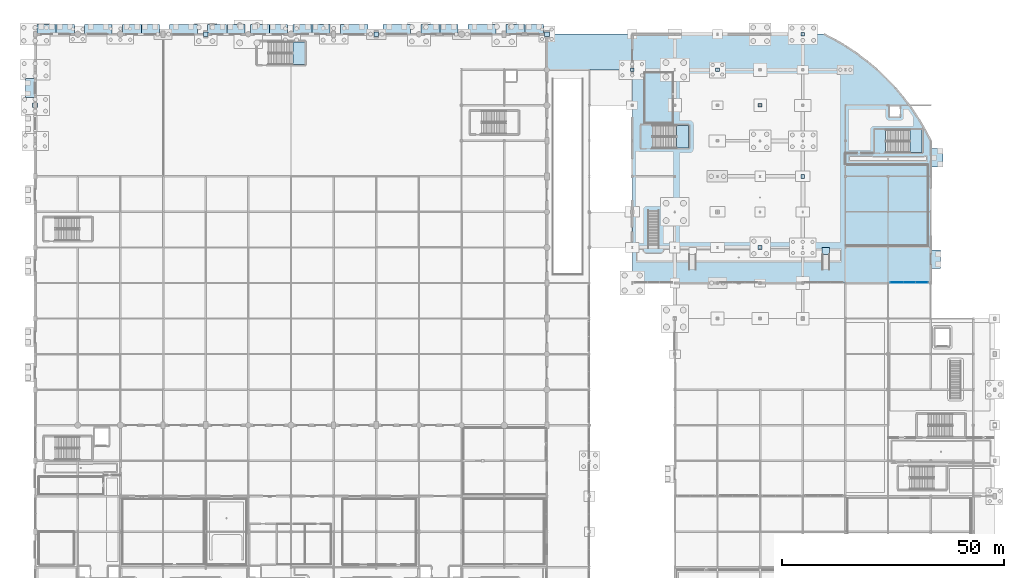
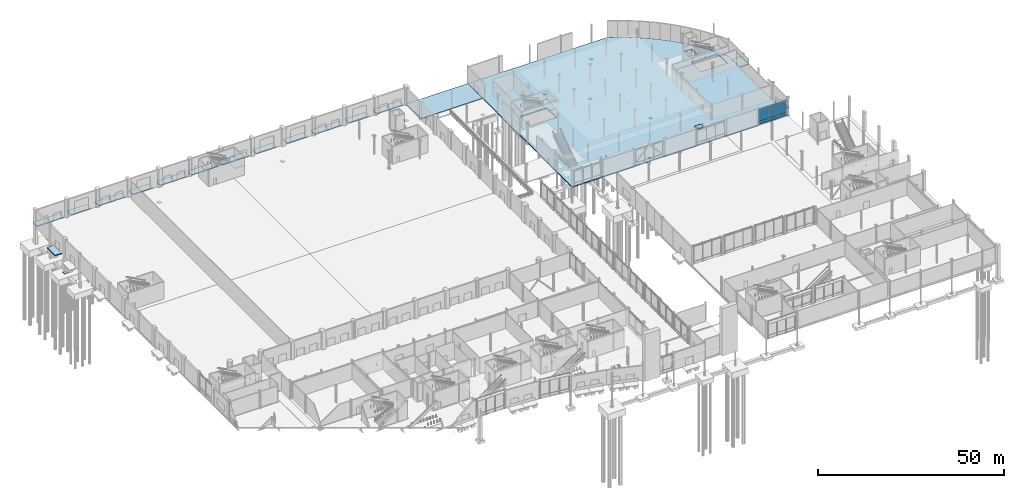
# One storey, part 70 of 124: 28 slabs, 16 plates, 4 elements without a shape of their own.
"""IFC4 building model written with IfcOpenShell, lengths in metres."""

from ifc_helpers import new_model, si_unit, direction, frame, origin, origin_2d, place, context, subcontext, project, spatial, polyline, rectangle, outline, extrude, material, layer, layer_set, type_object, element, aggregate, save


model = new_model("IFC4")

# Units and contexts
model_context = context("Model", 3, precision=1e-05, world=origin(), true_north=direction((0.0, 1.0)))
body_context = subcontext(model_context, "Body", "Model", "MODEL_VIEW")
ifc_project = project(units=[si_unit("LENGTHUNIT", "METRE"), si_unit("AREAUNIT", "SQUARE_METRE"), si_unit("VOLUMEUNIT", "CUBIC_METRE"), si_unit("PLANEANGLEUNIT", "RADIAN"), si_unit("MASSUNIT", "GRAM", prefix="KILO")], contexts=[model_context])

# Site, building, storey
site_placement = place(None, origin())
site = spatial("IfcSite", under=ifc_project, at=site_placement, CompositionType="ELEMENT")
building_placement = place(site_placement, origin())
building = spatial("IfcBuilding", under=site, at=building_placement, Name="Danafjord Basin Convention Centre", CompositionType="ELEMENT")
storey_placement = place(building_placement, origin())
storey = spatial("IfcBuildingStorey", under=building, at=storey_placement, Name="L00", CompositionType="ELEMENT", Elevation=0.0)

# Plates
ifc_material_1 = material(Name="Steel S355", Category="steel")
ifc_layer_1 = layer(ifc_material_1, 0.0400390625)
ifc_layer_set_1 = layer_set([ifc_layer_1], Name="Steel S355")
plate_type_1 = type_object("IfcPlateType", Name="PLT-BP-40", PredefinedType="SHEET", material=ifc_layer_set_1)
for number, where, z_axis, x_axis, name in (
    (1, (0.0, 128.0, -5.39990234375), (0.0, 0.0, 1.0), (1.0, 0.0, 0.0), "L00 column baseplate BP-40 at (0.0, 128.0)"),
    (2, (38.39990234375, 144.0, -5.39990234375), (0.0, 0.0, 1.0), (1.0, 0.0, 0.0), "L00 column baseplate BP-40 at (38.4, 144.0)"),
    (3, (76.800048828125, 144.0, -5.39990234375), (0.0, 0.0, 1.0), (1.0, 0.0, 0.0), "L00 column baseplate BP-40 at (76.8, 144.0)"),
    (4, (115.199951171875, 144.0, -5.39990234375), (0.0, 0.0, 1.0), (1.0, 0.0, 0.0), "L00 column baseplate BP-40 at (115.2, 144.0)"),
):
    element("IfcPlate", number, at=place(storey_placement, frame(where, z_axis=z_axis, x_axis=x_axis)), inside=storey, type_object=plate_type_1, Name=name, PredefinedType="SHEET", context=body_context, shape_type="SweptSolid", body=[
        extrude(rectangle(XDim=1.10009765625, YDim=1.10009765625, at=origin_2d()), origin(), (0.0, 0.0, 1.0), 0.0400390625),
    ])
for number, where, z_axis, x_axis, name in (
    (5, (134.39990234375, 136.0, -5.39990234375), (0.0, 0.0, 1.0), (1.0, 0.0, 0.0), "L00 column baseplate BP-40 at (134.4, 136.0)"),
    (6, (153.60009765625, 136.0, -5.39990234375), (0.0, 0.0, 1.0), (1.0, 0.0, 0.0), "L00 column baseplate BP-40 at (153.6, 136.0)"),
    (7, (163.199951171875, 96.0, -5.39990234375), (0.0, 0.0, 1.0), (1.0, 0.0, 0.0), "L00 column baseplate BP-40 at (163.2, 96.0)"),
    (8, (163.199951171875, 128.0, -5.39990234375), (0.0, 0.0, 1.0), (1.0, 0.0, 0.0), "L00 column baseplate BP-40 at (163.2, 128.0)"),
    (9, (172.800048828125, 112.0, -5.39990234375), (0.0, 0.0, 1.0), (1.0, 0.0, 0.0), "L00 column baseplate BP-40 at (172.8, 112.0)"),
    (10, (172.800048828125, 144.0, -5.39990234375), (0.0, 0.0, 1.0), (1.0, 0.0, 0.0), "L00 column baseplate BP-40 at (172.8, 144.0)"),
):
    element("IfcPlate", number, at=place(storey_placement, frame(where, z_axis=z_axis, x_axis=x_axis)), inside=storey, type_object=plate_type_1, Name=name, PredefinedType="SHEET", context=body_context, shape_type="SweptSolid", body=[
        extrude(rectangle(XDim=0.85009765625, YDim=0.85009765625, at=origin_2d()), origin(), (0.0, 0.0, 1.0), 0.0400390625),
    ])

# Curtain wall, plates
ifc_material_2 = material(Name="Anodised aluminium and triple glazing", Category="aluminium")
curtain_wall_type = type_object("IfcCurtainWallType", Name="CW-CW-DRUM", PredefinedType="NOTDEFINED", material=ifc_material_2)
curtain_wall_placement = place(storey_placement, origin())
curtain_wall = element("IfcCurtainWall", 11, at=curtain_wall_placement, inside=storey, type_object=curtain_wall_type, Name="L00 CW-DRUM unitised curtain wall bay 117", PredefinedType="NOTDEFINED")
ifc_material_3 = material(Name="Triple low-E insulated glazing", Category="glass")
ifc_layer_2 = layer(ifc_material_3, 0.048095703125)
ifc_layer_set_2 = layer_set([ifc_layer_2], Name="Triple low-E insulated glazing")
plate_type_2 = type_object("IfcPlateType", Name="PLT-GP-48", PredefinedType="CURTAIN_PANEL", material=ifc_layer_set_2)
plate_1_placement = place(storey_placement, frame((194.0, 88.1201171875, 0.97802734375), z_axis=(0.0, 0.0, 1.0), x_axis=(1.0, 0.0, 0.0)))
plate_1 = element("IfcPlate", 12, at=plate_1_placement, type_object=plate_type_2, Name="CW-L00-117 vision glazing unit 1", PredefinedType="CURTAIN_PANEL", context=body_context, shape_type="SweptSolid", body=[
    extrude(rectangle(XDim=2.743896484375, YDim=0.048095703125, at=origin_2d()), origin(), (0.0, 0.0, 1.0), 3.9541015625),
])
plate_2_placement = place(storey_placement, frame((196.800048828125, 88.1201171875, 0.97802734375), z_axis=(0.0, 0.0, 1.0), x_axis=(1.0, 0.0, 0.0)))
plate_2 = element("IfcPlate", 13, at=plate_2_placement, type_object=plate_type_2, Name="CW-L00-117 vision glazing unit 2", PredefinedType="CURTAIN_PANEL", context=body_context, shape_type="SweptSolid", body=[
    extrude(rectangle(XDim=2.743896484375, YDim=0.048095703125, at=origin_2d()), origin(), (0.0, 0.0, 1.0), 3.9541015625),
])
plate_3_placement = place(storey_placement, frame((199.60009765625, 88.1201171875, 0.97802734375), z_axis=(0.0, 0.0, 1.0), x_axis=(1.0, 0.0, 0.0)))
plate_3 = element("IfcPlate", 14, at=plate_3_placement, type_object=plate_type_2, Name="CW-L00-117 vision glazing unit 3", PredefinedType="CURTAIN_PANEL", context=body_context, shape_type="SweptSolid", body=[
    extrude(rectangle(XDim=2.743896484375, YDim=0.048095703125, at=origin_2d()), origin(), (0.0, 0.0, 1.0), 3.9541015625),
])
ifc_material_4 = material(Name="Insulated aluminium spandrel cassette", Category="aluminium")
ifc_layer_3 = layer(ifc_material_4, 0.090087890625)
ifc_layer_set_3 = layer_set([ifc_layer_3], Name="Insulated aluminium spandrel cassette")
plate_type_3 = type_object("IfcPlateType", Name="PLT-SPN-90", PredefinedType="CURTAIN_PANEL", material=ifc_layer_set_3)
plate_4_placement = place(storey_placement, frame((194.0, 88.1201171875, 0.087890625), z_axis=(0.0, 0.0, 1.0), x_axis=(1.0, 0.0, 0.0)))
plate_4 = element("IfcPlate", 15, at=plate_4_placement, type_object=plate_type_3, Name="CW-L00-117 spandrel cassette 1", PredefinedType="CURTAIN_PANEL", context=body_context, shape_type="SweptSolid", body=[
    extrude(rectangle(XDim=2.743896484375, YDim=0.090087890625, at=origin_2d()), origin(), (0.0, 0.0, 1.0), 0.833984375),
])
plate_5_placement = place(storey_placement, frame((196.800048828125, 88.1201171875, 0.087890625), z_axis=(0.0, 0.0, 1.0), x_axis=(1.0, 0.0, 0.0)))
plate_5 = element("IfcPlate", 16, at=plate_5_placement, type_object=plate_type_3, Name="CW-L00-117 spandrel cassette 2", PredefinedType="CURTAIN_PANEL", context=body_context, shape_type="SweptSolid", body=[
    extrude(rectangle(XDim=2.743896484375, YDim=0.090087890625, at=origin_2d()), origin(), (0.0, 0.0, 1.0), 0.833984375),
])
plate_6_placement = place(storey_placement, frame((199.60009765625, 88.1201171875, 0.087890625), z_axis=(0.0, 0.0, 1.0), x_axis=(1.0, 0.0, 0.0)))
plate_6 = element("IfcPlate", 17, at=plate_6_placement, type_object=plate_type_3, Name="CW-L00-117 spandrel cassette 3", PredefinedType="CURTAIN_PANEL", context=body_context, shape_type="SweptSolid", body=[
    extrude(rectangle(XDim=2.743896484375, YDim=0.090087890625, at=origin_2d()), origin(), (0.0, 0.0, 1.0), 0.833984375),
])
aggregate(curtain_wall, [plate_4, plate_1, plate_5, plate_2, plate_6, plate_3])

# Slabs
ifc_material_5 = material(Name="Concrete C40/50", Category="concrete")
ifc_layer_4 = layer(ifc_material_5, 0.280029296875)
ifc_layer_set_4 = layer_set([ifc_layer_4], Name="Concrete C40/50")
slab_type_1 = type_object("IfcSlabType", Name="SLAB-EXT-280", PredefinedType="FLOOR", material=ifc_layer_set_4)
slab_1_placement = place(storey_placement, frame((0.0, 0.0, -0.280029296875)))
element("IfcSlab", 18, at=slab_1_placement, inside=storey, type_object=slab_type_1, Name="L00 exterior courtyard apron slab SL-L00-APRON", PredefinedType="FLOOR", context=body_context, shape_type="SweptSolid", body=[
    extrude(outline(polyline([(115.25, 136.0), (115.25, 144.0), (134.35009765625, 144.0), (134.35009765625, 136.0), (115.25, 136.0)])), origin(), (0.0, 0.0, 1.0), 0.280029296875),
])
slab_2_placement = place(storey_placement, frame((0.0, 0.0, -0.280029296875)))
element("IfcSlab", 19, at=slab_2_placement, inside=storey, type_object=slab_type_1, Name="L00 exterior threshold apron EX01", PredefinedType="FLOOR", context=body_context, shape_type="SweptSolid", body=[
    extrude(outline(polyline([(0.449951171875, 146.199951171875), (4.72998046875, 146.199951171875), (4.72998046875, 144.014892578125), (0.449951171875, 144.014892578125), (0.449951171875, 146.199951171875)])), origin(), (0.0, 0.0, 1.0), 0.280029296875),
])
slab_3_placement = place(storey_placement, frame((0.0, 0.0, -0.280029296875)))
element("IfcSlab", 20, at=slab_3_placement, inside=storey, type_object=slab_type_1, Name="L00 exterior threshold apron EX02", PredefinedType="FLOOR", context=body_context, shape_type="SweptSolid", body=[
    extrude(outline(polyline([(8.830078125, 146.199951171875), (8.830078125, 144.014892578125), (4.7451171875, 144.014892578125), (4.7451171875, 146.199951171875), (8.830078125, 146.199951171875)])), origin(), (0.0, 0.0, 1.0), 0.280029296875),
])
slab_4_placement = place(storey_placement, frame((0.0, 0.0, -0.280029296875)))
element("IfcSlab", 21, at=slab_4_placement, inside=storey, type_object=slab_type_1, Name="L00 exterior threshold apron SH03", PredefinedType="FLOOR", context=body_context, shape_type="SweptSolid", body=[
    extrude(outline(polyline([(11.10009765625, 146.199951171875), (17.300048828125, 146.199951171875), (17.300048828125, 144.014892578125), (11.10009765625, 144.014892578125), (11.10009765625, 146.199951171875)])), origin(), (0.0, 0.0, 1.0), 0.280029296875),
])
slab_5_placement = place(storey_placement, frame((0.0, 0.0, -0.280029296875)))
element("IfcSlab", 22, at=slab_5_placement, inside=storey, type_object=slab_type_1, Name="L00 exterior threshold apron EX06", PredefinedType="FLOOR", context=body_context, shape_type="SweptSolid", body=[
    extrude(outline(polyline([(19.64990234375, 146.199951171875), (23.929931640625, 146.199951171875), (23.929931640625, 144.014892578125), (19.64990234375, 144.014892578125), (19.64990234375, 146.199951171875)])), origin(), (0.0, 0.0, 1.0), 0.280029296875),
])
slab_6_placement = place(storey_placement, frame((0.0, 0.0, -0.280029296875)))
element("IfcSlab", 23, at=slab_6_placement, inside=storey, type_object=slab_type_1, Name="L00 exterior threshold apron EX07", PredefinedType="FLOOR", context=body_context, shape_type="SweptSolid", body=[
    extrude(outline(polyline([(28.030029296875, 146.199951171875), (28.030029296875, 144.014892578125), (23.945068359375, 144.014892578125), (23.945068359375, 146.199951171875), (28.030029296875, 146.199951171875)])), origin(), (0.0, 0.0, 1.0), 0.280029296875),
])
slab_7_placement = place(storey_placement, frame((0.0, 0.0, -0.280029296875)))
element("IfcSlab", 24, at=slab_7_placement, inside=storey, type_object=slab_type_1, Name="L00 exterior threshold apron SH10", PredefinedType="FLOOR", context=body_context, shape_type="SweptSolid", body=[
    extrude(outline(polyline([(30.300048828125, 146.199951171875), (36.5, 146.199951171875), (36.5, 144.014892578125), (30.300048828125, 144.014892578125), (30.300048828125, 146.199951171875)])), origin(), (0.0, 0.0, 1.0), 0.280029296875),
])
slab_8_placement = place(storey_placement, frame((0.0, 0.0, -0.280029296875)))
element("IfcSlab", 25, at=slab_8_placement, inside=storey, type_object=slab_type_1, Name="L00 exterior threshold apron EX13", PredefinedType="FLOOR", context=body_context, shape_type="SweptSolid", body=[
    extrude(outline(polyline([(38.85009765625, 146.199951171875), (43.1298828125, 146.199951171875), (43.1298828125, 144.014892578125), (38.85009765625, 144.014892578125), (38.85009765625, 146.199951171875)])), origin(), (0.0, 0.0, 1.0), 0.280029296875),
])
slab_9_placement = place(storey_placement, frame((0.0, 0.0, -0.280029296875)))
element("IfcSlab", 26, at=slab_9_placement, inside=storey, type_object=slab_type_1, Name="L00 exterior threshold apron EX14", PredefinedType="FLOOR", context=body_context, shape_type="SweptSolid", body=[
    extrude(outline(polyline([(47.22998046875, 146.199951171875), (47.22998046875, 144.014892578125), (43.14501953125, 144.014892578125), (43.14501953125, 146.199951171875), (47.22998046875, 146.199951171875)])), origin(), (0.0, 0.0, 1.0), 0.280029296875),
])
slab_10_placement = place(storey_placement, frame((0.0, 0.0, -0.280029296875)))
element("IfcSlab", 27, at=slab_10_placement, inside=storey, type_object=slab_type_1, Name="L00 exterior threshold apron EX17", PredefinedType="FLOOR", context=body_context, shape_type="SweptSolid", body=[
    extrude(outline(polyline([(48.449951171875, 146.199951171875), (52.72998046875, 146.199951171875), (52.72998046875, 144.014892578125), (48.449951171875, 144.014892578125), (48.449951171875, 146.199951171875)])), origin(), (0.0, 0.0, 1.0), 0.280029296875),
])
slab_11_placement = place(storey_placement, frame((0.0, 0.0, -0.280029296875)))
element("IfcSlab", 28, at=slab_11_placement, inside=storey, type_object=slab_type_1, Name="L00 exterior threshold apron EX18", PredefinedType="FLOOR", context=body_context, shape_type="SweptSolid", body=[
    extrude(outline(polyline([(56.830078125, 146.199951171875), (56.830078125, 144.014892578125), (52.7451171875, 144.014892578125), (52.7451171875, 146.199951171875), (56.830078125, 146.199951171875)])), origin(), (0.0, 0.0, 1.0), 0.280029296875),
])
slab_12_placement = place(storey_placement, frame((0.0, 0.0, -0.280029296875)))
element("IfcSlab", 29, at=slab_12_placement, inside=storey, type_object=slab_type_1, Name="L00 exterior threshold apron EX21", PredefinedType="FLOOR", context=body_context, shape_type="SweptSolid", body=[
    extrude(outline(polyline([(58.050048828125, 146.199951171875), (62.330078125, 146.199951171875), (62.330078125, 144.014892578125), (58.050048828125, 144.014892578125), (58.050048828125, 146.199951171875)])), origin(), (0.0, 0.0, 1.0), 0.280029296875),
])
slab_13_placement = place(storey_placement, frame((0.0, 0.0, -0.280029296875)))
element("IfcSlab", 30, at=slab_13_placement, inside=storey, type_object=slab_type_1, Name="L00 exterior threshold apron EX22", PredefinedType="FLOOR", context=body_context, shape_type="SweptSolid", body=[
    extrude(outline(polyline([(66.429931640625, 146.199951171875), (66.429931640625, 144.014892578125), (62.344970703125, 144.014892578125), (62.344970703125, 146.199951171875), (66.429931640625, 146.199951171875)])), origin(), (0.0, 0.0, 1.0), 0.280029296875),
])
slab_14_placement = place(storey_placement, frame((0.0, 0.0, -0.280029296875)))
element("IfcSlab", 31, at=slab_14_placement, inside=storey, type_object=slab_type_1, Name="L00 exterior threshold apron SH25", PredefinedType="FLOOR", context=body_context, shape_type="SweptSolid", body=[
    extrude(outline(polyline([(68.699951171875, 146.199951171875), (74.89990234375, 146.199951171875), (74.89990234375, 144.014892578125), (68.699951171875, 144.014892578125), (68.699951171875, 146.199951171875)])), origin(), (0.0, 0.0, 1.0), 0.280029296875),
])
slab_15_placement = place(storey_placement, frame((0.0, 0.0, -0.280029296875)))
element("IfcSlab", 32, at=slab_15_placement, inside=storey, type_object=slab_type_1, Name="L00 exterior threshold apron SH28", PredefinedType="FLOOR", context=body_context, shape_type="SweptSolid", body=[
    extrude(outline(polyline([(78.300048828125, 146.199951171875), (84.5, 146.199951171875), (84.5, 144.014892578125), (78.300048828125, 144.014892578125), (78.300048828125, 146.199951171875)])), origin(), (0.0, 0.0, 1.0), 0.280029296875),
])
slab_16_placement = place(storey_placement, frame((0.0, 0.0, -0.280029296875)))
element("IfcSlab", 33, at=slab_16_placement, inside=storey, type_object=slab_type_1, Name="L00 exterior threshold apron EX31", PredefinedType="FLOOR", context=body_context, shape_type="SweptSolid", body=[
    extrude(outline(polyline([(86.85009765625, 146.199951171875), (91.1298828125, 146.199951171875), (91.1298828125, 144.014892578125), (86.85009765625, 144.014892578125), (86.85009765625, 146.199951171875)])), origin(), (0.0, 0.0, 1.0), 0.280029296875),
])
slab_17_placement = place(storey_placement, frame((0.0, 0.0, -0.280029296875)))
element("IfcSlab", 34, at=slab_17_placement, inside=storey, type_object=slab_type_1, Name="L00 exterior threshold apron EX32", PredefinedType="FLOOR", context=body_context, shape_type="SweptSolid", body=[
    extrude(outline(polyline([(95.22998046875, 146.199951171875), (95.22998046875, 144.014892578125), (91.14501953125, 144.014892578125), (91.14501953125, 146.199951171875), (95.22998046875, 146.199951171875)])), origin(), (0.0, 0.0, 1.0), 0.280029296875),
])
slab_18_placement = place(storey_placement, frame((0.0, 0.0, -0.280029296875)))
element("IfcSlab", 35, at=slab_18_placement, inside=storey, type_object=slab_type_1, Name="L00 exterior threshold apron SH33", PredefinedType="FLOOR", context=body_context, shape_type="SweptSolid", body=[
    extrude(outline(polyline([(97.5, 146.199951171875), (103.699951171875, 146.199951171875), (103.699951171875, 144.014892578125), (97.5, 144.014892578125), (97.5, 146.199951171875)])), origin(), (0.0, 0.0, 1.0), 0.280029296875),
])
slab_19_placement = place(storey_placement, frame((0.0, 0.0, -0.280029296875)))
element("IfcSlab", 36, at=slab_19_placement, inside=storey, type_object=slab_type_1, Name="L00 exterior threshold apron EX34", PredefinedType="FLOOR", context=body_context, shape_type="SweptSolid", body=[
    extrude(outline(polyline([(106.050048828125, 146.199951171875), (110.330078125, 146.199951171875), (110.330078125, 144.014892578125), (106.050048828125, 144.014892578125), (106.050048828125, 146.199951171875)])), origin(), (0.0, 0.0, 1.0), 0.280029296875),
])
slab_20_placement = place(storey_placement, frame((0.0, 0.0, -0.280029296875)))
element("IfcSlab", 37, at=slab_20_placement, inside=storey, type_object=slab_type_1, Name="L00 exterior threshold apron EX35", PredefinedType="FLOOR", context=body_context, shape_type="SweptSolid", body=[
    extrude(outline(polyline([(114.429931640625, 146.199951171875), (114.429931640625, 144.014892578125), (110.344970703125, 144.014892578125), (110.344970703125, 146.199951171875), (114.429931640625, 146.199951171875)])), origin(), (0.0, 0.0, 1.0), 0.280029296875),
])
slab_21_placement = place(storey_placement, frame((0.0, 0.0, -0.280029296875)))
element("IfcSlab", 38, at=slab_21_placement, inside=storey, type_object=slab_type_1, Name="L00 exterior threshold apron EXW46", PredefinedType="FLOOR", context=body_context, shape_type="SweptSolid", body=[
    extrude(outline(polyline([(-2.199951171875, 129.699951171875), (-2.199951171875, 133.97998046875), (-0.014892578125, 133.97998046875), (-0.014892578125, 129.699951171875), (-2.199951171875, 129.699951171875)])), origin(), (0.0, 0.0, 1.0), 0.280029296875),
])
slab_22_placement = place(storey_placement, frame((0.0, 0.0, -0.280029296875)))
element("IfcSlab", 39, at=slab_22_placement, inside=storey, type_object=slab_type_1, Name="L00 exterior threshold apron V2EX70", PredefinedType="FLOOR", context=body_context, shape_type="SweptSolid", body=[
    extrude(outline(polyline([(203.800048828125, 95.404052734375), (203.800048828125, 91.263916015625), (201.614990234375, 91.263916015625), (201.614990234375, 95.404052734375), (203.800048828125, 95.404052734375)])), origin(), (0.0, 0.0, 1.0), 0.280029296875),
])
ifc_layer_5 = layer(ifc_material_5, 0.294921875)
ifc_layer_set_5 = layer_set([ifc_layer_5], Name="Concrete C40/50")
slab_type_2 = type_object("IfcSlabType", Name="SLAB-EXT-295", PredefinedType="FLOOR", material=ifc_layer_set_5)
slab_23_placement = place(storey_placement, frame((0.0, 0.0, -0.294921875)))
element("IfcSlab", 40, at=slab_23_placement, inside=storey, type_object=slab_type_2, Name="L00 exterior exit apron ST-11", PredefinedType="FLOOR", context=body_context, shape_type="SweptSolid", body=[
    extrude(outline(polyline([(201.6201171875, 114.10009765625), (204.39990234375, 114.10009765625), (204.39990234375, 118.300048828125), (201.6201171875, 118.300048828125), (201.6201171875, 114.10009765625)])), origin(), (0.0, 0.0, 1.0), 0.294921875),
])
ifc_material_6 = material(Name="Concrete C35/45", Category="concrete")
ifc_layer_6 = layer(ifc_material_6, 0.340087890625)
ifc_layer_set_6 = layer_set([ifc_layer_6], Name="Concrete C35/45")
slab_type_3 = type_object("IfcSlabType", Name="SLAB-FS-340", PredefinedType="FLOOR", material=ifc_layer_set_6)
slab_24_placement = place(storey_placement, frame((0.0, 0.0, -0.340087890625)))
element("IfcSlab", 41, at=slab_24_placement, inside=storey, type_object=slab_type_3, Name="L00 FS-340 slab SL-L00-V2", PredefinedType="FLOOR", context=body_context, shape_type="SweptSolid", body=[
    extrude(outline(polyline([(134.449951171875, 144.0), (177.60009765625, 144.0), (180.154296875, 142.66796875), (182.631103515625, 141.196533203125), (185.022705078125, 139.59033203125), (187.3212890625, 137.85400390625), (189.5205078125, 135.9931640625), (191.61328125, 134.01318359375), (193.593017578125, 131.920654296875), (195.4541015625, 129.721435546875), (197.190185546875, 127.422607421875), (198.796630859375, 125.031005859375), (200.26806640625, 122.554443359375), (201.60009765625, 120.0), (201.60009765625, 88.0), (134.449951171875, 88.0), (134.449951171875, 144.0)]), holes=[polyline([(191.47998046875, 117.360107421875), (199.679931640625, 117.360107421875), (199.679931640625, 122.5), (191.47998046875, 122.5), (191.47998046875, 117.360107421875)]), polyline([(192.199951171875, 127.89990234375), (192.199951171875, 125.300048828125), (194.800048828125, 125.300048828125), (194.800048828125, 127.89990234375), (192.199951171875, 127.89990234375)]), polyline([(138.929931640625, 123.5), (138.929931640625, 118.360107421875), (147.1298828125, 118.360107421875), (147.1298828125, 123.5), (138.929931640625, 123.5)])]), origin(), (0.0, 0.0, 1.0), 0.340087890625),
])

# Stair, slab
stair_type = type_object("IfcStairType", Name="STAIR-STR-C01", PredefinedType="TWO_STRAIGHT_RUN_STAIR", material=ifc_material_5)
stair_1_placement = place(storey_placement, origin())
stair_1 = element("IfcStair", 42, at=stair_1_placement, inside=storey, type_object=stair_type, Name="L00 Plenary North-East Core Stair 1", PredefinedType="HALF_TURN_STAIR")
ifc_layer_7 = layer(ifc_material_5, 0.199951171875)
ifc_layer_set_7 = layer_set([ifc_layer_7], Name="Concrete C40/50")
slab_type_4 = type_object("IfcSlabType", Name="SLAB-LAND-200", PredefinedType="LANDING", material=ifc_layer_set_7)
slab_25_placement = place(storey_placement, frame((0.0, 0.0, 2.800048828125)))
slab_25 = element("IfcSlab", 43, at=slab_25_placement, type_object=slab_type_4, Name="ST-11 landing 1", PredefinedType="LANDING", context=body_context, shape_type="SweptSolid", body=[
    extrude(outline(polyline([(196.955078125, 117.360107421875), (199.679931640625, 117.360107421875), (199.679931640625, 122.5), (196.955078125, 122.5), (196.955078125, 117.360107421875)])), origin(), (0.0, 0.0, 1.0), 0.199951171875),
])
aggregate(stair_1, [slab_25])

stair_2_placement = place(storey_placement, origin())
stair_2 = element("IfcStair", 44, at=stair_2_placement, inside=storey, type_object=stair_type, Name="L00 North Exhibition Perimeter Stair", PredefinedType="HALF_TURN_STAIR")
slab_26_placement = place(storey_placement, frame((0.0, 0.0, 2.800048828125)))
slab_26 = element("IfcSlab", 45, at=slab_26_placement, type_object=slab_type_4, Name="ST-10 landing 1", PredefinedType="LANDING", context=body_context, shape_type="SweptSolid", body=[
    extrude(outline(polyline([(58.0048828125, 137.159912109375), (60.72998046875, 137.159912109375), (60.72998046875, 142.300048828125), (58.0048828125, 142.300048828125), (58.0048828125, 137.159912109375)])), origin(), (0.0, 0.0, 1.0), 0.199951171875),
])
aggregate(stair_2, [slab_26])

stair_3_placement = place(storey_placement, origin())
stair_3 = element("IfcStair", 46, at=stair_3_placement, inside=storey, type_object=stair_type, Name="L00 Plenary West Escape Stair", PredefinedType="HALF_TURN_STAIR")
slab_27_placement = place(storey_placement, frame((0.0, 0.0, 2.800048828125)))
slab_27 = element("IfcSlab", 47, at=slab_27_placement, type_object=slab_type_4, Name="ST-12 landing 1", PredefinedType="LANDING", context=body_context, shape_type="SweptSolid", body=[
    extrude(outline(polyline([(144.405029296875, 118.360107421875), (147.1298828125, 118.360107421875), (147.1298828125, 123.5), (144.405029296875, 123.5), (144.405029296875, 118.360107421875)])), origin(), (0.0, 0.0, 1.0), 0.199951171875),
])
aggregate(stair_3, [slab_27])

# Slab
slab_28_placement = place(storey_placement, origin())
element("IfcSlab", 48, at=slab_28_placement, inside=storey, type_object=slab_type_4, Name="AR-04 threshold landing", PredefinedType="LANDING", context=body_context, shape_type="SweptSolid", body=[
    extrude(outline(polyline([(177.14990234375, 94.3798828125), (178.85009765625, 94.3798828125), (178.85009765625, 95.949951171875), (177.14990234375, 95.949951171875), (177.14990234375, 94.3798828125)])), origin(), (0.0, 0.0, 1.0), 0.199951171875),
])

save(model, "model.ifc")
